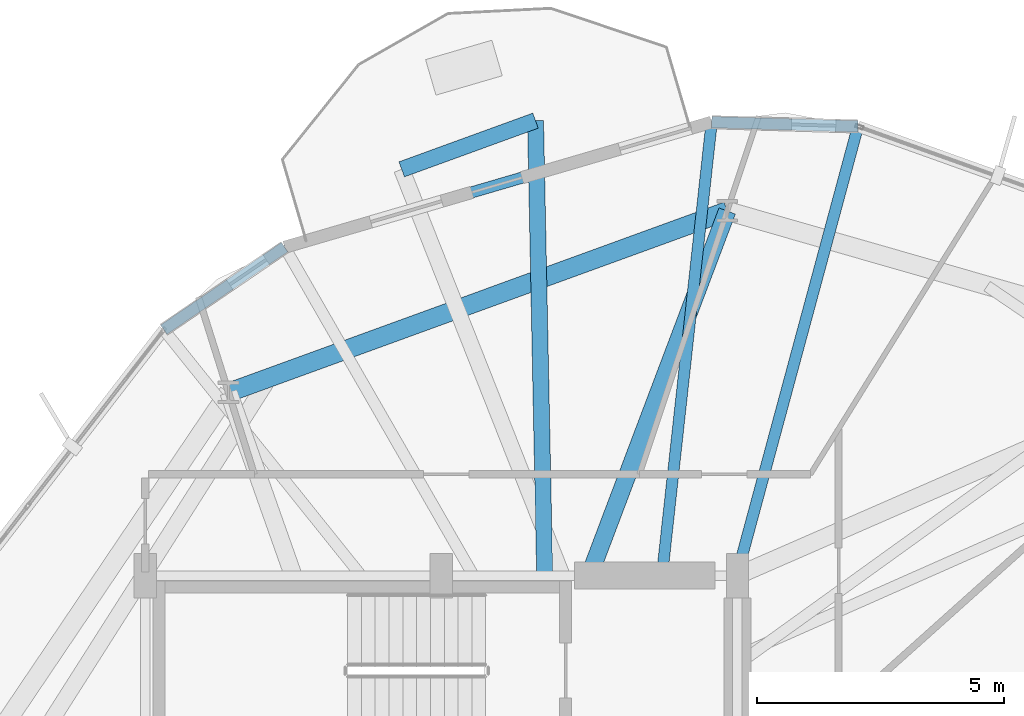
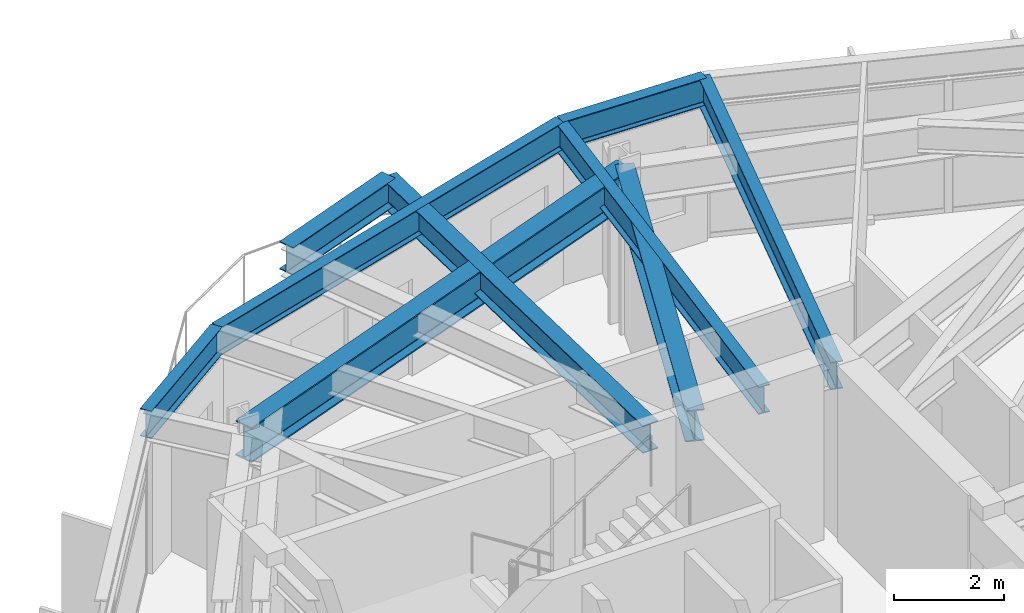
# One storey, part 15 of 24: 9 beams.
"""IFC4 building model written with IfcOpenShell, lengths in metres."""

from ifc_helpers import new_model, si_unit, direction, frame, origin, origin_2d, place, context, subcontext, project, spatial, i_section, extrude, material, material_profile, profile_set, type_object, element, save


model = new_model("IFC4")

# Units and contexts
model_context = context("Model", 3, precision=1e-05, world=origin(), true_north=direction((0.0, 1.0)))
body_context = subcontext(model_context, "Body", "Model", "MODEL_VIEW")
ifc_project = project(units=[si_unit("LENGTHUNIT", "METRE"), si_unit("AREAUNIT", "SQUARE_METRE"), si_unit("VOLUMEUNIT", "CUBIC_METRE"), si_unit("PLANEANGLEUNIT", "RADIAN"), si_unit("MASSUNIT", "GRAM", prefix="KILO")], contexts=[model_context])

# Site, building, storey
site_placement = place(None, origin())
site = spatial("IfcSite", under=ifc_project, at=site_placement, CompositionType="ELEMENT")
building_placement = place(site_placement, origin())
building = spatial("IfcBuilding", under=site, at=building_placement, Name="Soratama Intermodal Tower", CompositionType="ELEMENT")
storey_placement = place(building_placement, frame((0.0, 0.0, 91.300048828125)))
storey = spatial("IfcBuildingStorey", under=building, at=storey_placement, Name="L21", CompositionType="ELEMENT", Elevation=91.300048828125)

# Beams
ifc_material_1 = material(Name="Structural steel ASTM A992 Grade 50", Category="steel")
ifc_material_profile_1 = material_profile(ifc_material_1, i_section(OverallWidth=0.324951171875, OverallDepth=0.615966796875, WebThickness=0.013916015625, FlangeThickness=0.021484375, FilletRadius=0.013916015625, at=origin_2d()), Name="W24X117")
ifc_profile_set_1 = profile_set([ifc_material_profile_1], Name="Structural steel ASTM A992 Grade 50")
beam_type_1 = type_object("IfcBeamType", Name="BM-CANT-W24X117", PredefinedType="BEAM", material=ifc_profile_set_1)
beam_1_placement = place(storey_placement, frame((40.509033203125, 44.219970703125, 3.2919921875), z_axis=(-0.93969211405, -0.342021535569, 0.0), x_axis=(0.342021535569, -0.93969211405, 0.0)))
element("IfcBeam", 1, at=beam_1_placement, inside=storey, type_object=beam_type_1, Name="BM-L21-CBHDR-2", PredefinedType="BEAM", context=body_context, shape_type="SweptSolid", body=[
    extrude(i_section(OverallWidth=0.324951171875, OverallDepth=0.615966796875, WebThickness=0.013916015625, FlangeThickness=0.021484375, FilletRadius=0.013916015625, at=origin_2d()), origin(), (0.0, 0.0, 1.0), 2.885986328125),
])
beam_2_placement = place(storey_placement, frame((40.694091796875, 35.0400390625, 3.2919921875), z_axis=(-0.020154943388, 0.999796868497, 0.0), x_axis=(-0.999796868497, -0.020154943388, 0.0)))
element("IfcBeam", 2, at=beam_2_placement, inside=storey, type_object=beam_type_1, Name="BM-L21-CANT-2-1", PredefinedType="BEAM", context=body_context, shape_type="SweptSolid", body=[
    extrude(i_section(OverallWidth=0.324951171875, OverallDepth=0.615966796875, WebThickness=0.013916015625, FlangeThickness=0.021484375, FilletRadius=0.013916015625, at=origin_2d()), origin(), (0.0, 0.0, 1.0), 9.181884765625),
])
ifc_material_2 = material(Name="Structural steel ASTM A992 Grade 50", Category="steel")
ifc_material_profile_2 = material_profile(ifc_material_2, i_section(OverallWidth=0.35498046875, OverallDepth=0.695068359375, WebThickness=0.015380859375, FlangeThickness=0.02490234375, FilletRadius=0.01611328125, at=origin_2d()), Name="W27X146")
ifc_profile_set_2 = profile_set([ifc_material_profile_2], Name="Structural steel ASTM A992 Grade 50")
beam_type_2 = type_object("IfcBeamType", Name="BM-RING-W27X146", PredefinedType="BEAM", material=ifc_profile_set_2)
beam_3_placement = place(storey_placement, frame((41.60009765625, 35.0, 3.25244140625), z_axis=(0.353577871145, 0.935405093549, 0.0), x_axis=(-0.935405093549, 0.353577871145, 0.0)))
element("IfcBeam", 3, at=beam_3_placement, inside=storey, type_object=beam_type_2, Name="BM-L21-RAD-03", PredefinedType="BEAM", context=body_context, shape_type="SweptSolid", body=[
    extrude(i_section(OverallWidth=0.35498046875, OverallDepth=0.695068359375, WebThickness=0.015380859375, FlangeThickness=0.02490234375, FilletRadius=0.01611328125, at=origin_2d()), origin(), (0.0, 0.0, 1.0), 7.899169921875),
])
ifc_material_3 = material(Name="Structural steel ASTM A992 Grade 50", Category="steel")
ifc_material_profile_3 = material_profile(ifc_material_3, i_section(OverallWidth=0.382080078125, OverallDepth=0.779052734375, WebThickness=0.01806640625, FlangeThickness=0.030029296875, FilletRadius=0.01806640625, at=origin_2d()), Name="W30X191")
ifc_profile_set_3 = profile_set([ifc_material_profile_3], Name="Structural steel ASTM A992 Grade 50")
beam_type_3 = type_object("IfcBeamType", Name="BM-RING-W30X191", PredefinedType="BEAM", material=ifc_profile_set_3)
beam_4_placement = place(storey_placement, frame((44.39306640625, 42.388916015625, 3.21044921875), z_axis=(-0.939690636038, -0.342025596326, 0.0), x_axis=(0.342025596326, -0.939690636038, 0.0)))
element("IfcBeam", 4, at=beam_4_placement, inside=storey, type_object=beam_type_3, Name="BM-L21-RING-03", PredefinedType="BEAM", context=body_context, shape_type="SweptSolid", body=[
    extrude(i_section(OverallWidth=0.382080078125, OverallDepth=0.779052734375, WebThickness=0.01806640625, FlangeThickness=0.030029296875, FilletRadius=0.01806640625, at=origin_2d()), origin(), (0.0, 0.0, 1.0), 10.75341796875),
])
ifc_material_4 = material(Name="Structural steel ASTM A992 Grade 50", Category="steel")
ifc_material_profile_4 = material_profile(ifc_material_4, i_section(OverallWidth=0.22900390625, OverallDepth=0.612060546875, WebThickness=0.011962890625, FlangeThickness=0.01953125, FilletRadius=0.012939453125, at=origin_2d()), Name="W24X84")
ifc_profile_set_4 = profile_set([ifc_material_profile_4], Name="Structural steel ASTM A992 Grade 50")
beam_type_4 = type_object("IfcBeamType", Name="BM-SPN-W24X84", PredefinedType="SPANDREL", material=ifc_profile_set_4)
beam_5_placement = place(storey_placement, frame((47.0439453125, 44.10302734375, 3.2939453125), z_axis=(-0.999570595411, 0.029302300063, 0.0), x_axis=(-0.029302300063, -0.999570595411, 0.0)))
element("IfcBeam", 5, at=beam_5_placement, inside=storey, type_object=beam_type_4, Name="BS-L21-CRN02", PredefinedType="SPANDREL", context=body_context, shape_type="SweptSolid", body=[
    extrude(i_section(OverallWidth=0.22900390625, OverallDepth=0.612060546875, WebThickness=0.011962890625, FlangeThickness=0.01953125, FilletRadius=0.012939453125, at=origin_2d()), origin(), (0.0, 0.0, 1.0), 2.966064453125),
])
beam_6_placement = place(storey_placement, frame((44.0791015625, 44.18994140625, 3.2939453125), z_axis=(-0.959706247002, -0.281005194731, 0.0), x_axis=(0.281005194731, -0.959706247002, 0.0)))
element("IfcBeam", 6, at=beam_6_placement, inside=storey, type_object=beam_type_4, Name="BS-L21-F03", PredefinedType="SPANDREL", context=body_context, shape_type="SweptSolid", body=[
    extrude(i_section(OverallWidth=0.22900390625, OverallDepth=0.612060546875, WebThickness=0.011962890625, FlangeThickness=0.01953125, FilletRadius=0.012939453125, at=origin_2d()), origin(), (0.0, 0.0, 1.0), 9.017333984375),
])
beam_7_placement = place(storey_placement, frame((35.425048828125, 41.656005859375, 3.2939453125), z_axis=(-0.825807525175, -0.563952064776, 0.0), x_axis=(0.563952064776, -0.825807525175, 0.0)))
element("IfcBeam", 7, at=beam_7_placement, inside=storey, type_object=beam_type_4, Name="BS-L21-CRN03", PredefinedType="SPANDREL", context=body_context, shape_type="SweptSolid", body=[
    extrude(i_section(OverallWidth=0.22900390625, OverallDepth=0.612060546875, WebThickness=0.011962890625, FlangeThickness=0.01953125, FilletRadius=0.012939453125, at=origin_2d()), origin(), (0.0, 0.0, 1.0), 2.966796875),
])
ifc_material_5 = material(Name="Structural steel ASTM A992 Grade 50", Category="steel")
ifc_material_profile_5 = material_profile(ifc_material_5, i_section(OverallWidth=0.22900390625, OverallDepth=0.612060546875, WebThickness=0.011962890625, FlangeThickness=0.01953125, FilletRadius=0.012939453125, at=origin_2d()), Name="W24X84")
ifc_profile_set_5 = profile_set([ifc_material_profile_5], Name="Structural steel ASTM A992 Grade 50")
beam_type_5 = type_object("IfcBeamType", Name="BM-TIE-W24X84", PredefinedType="BEAM", material=ifc_profile_set_5)
beam_8_placement = place(storey_placement, frame((44.596923828125, 35.0390625, 3.2939453125), z_axis=(0.26064113006, 0.965435757221, 0.0), x_axis=(-0.965435757221, 0.26064113006, 0.0)))
element("IfcBeam", 8, at=beam_8_placement, inside=storey, type_object=beam_type_5, Name="BM-L21-TIE1-02", PredefinedType="BEAM", context=body_context, shape_type="SweptSolid", body=[
    extrude(i_section(OverallWidth=0.22900390625, OverallDepth=0.612060546875, WebThickness=0.011962890625, FlangeThickness=0.01953125, FilletRadius=0.012939453125, at=origin_2d()), origin(), (0.0, 0.0, 1.0), 9.388427734375),
])
beam_9_placement = place(storey_placement, frame((43.075927734375, 35.0400390625, 3.2939453125), z_axis=(0.108984590736, 0.994043439183, 0.0), x_axis=(-0.994043439183, 0.108984590736, 0.0)))
element("IfcBeam", 9, at=beam_9_placement, inside=storey, type_object=beam_type_5, Name="BM-L21-TIE0-03", PredefinedType="BEAM", context=body_context, shape_type="SweptSolid", body=[
    extrude(i_section(OverallWidth=0.22900390625, OverallDepth=0.612060546875, WebThickness=0.011962890625, FlangeThickness=0.01953125, FilletRadius=0.012939453125, at=origin_2d()), origin(), (0.0, 0.0, 1.0), 9.204833984375),
])

save(model, "model.ifc")
